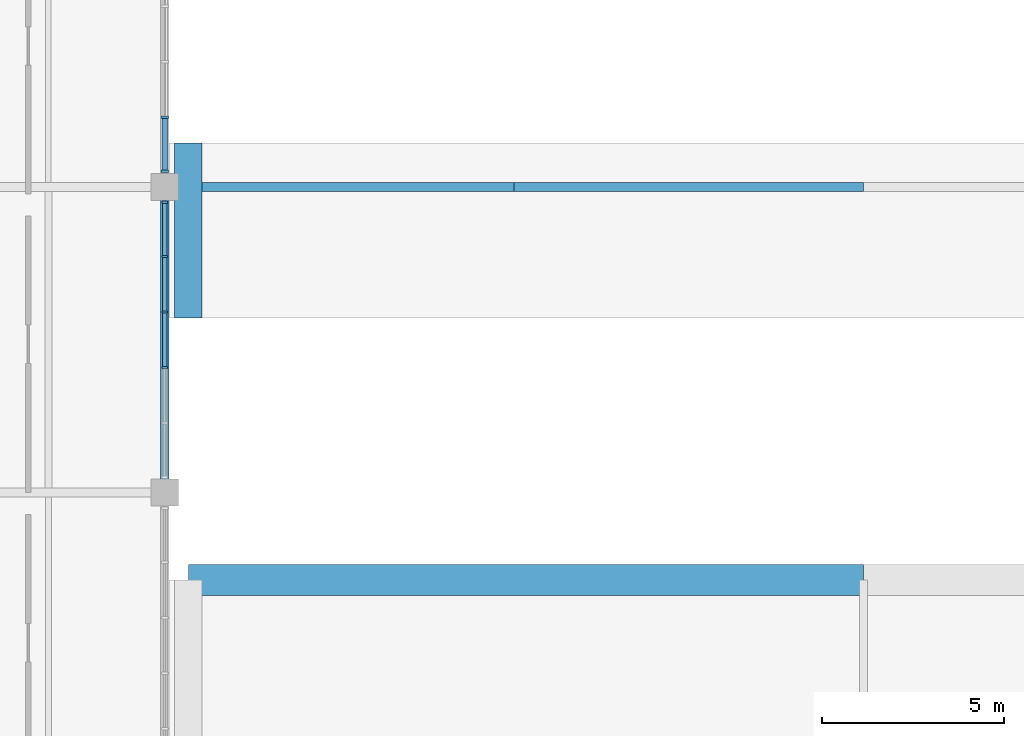
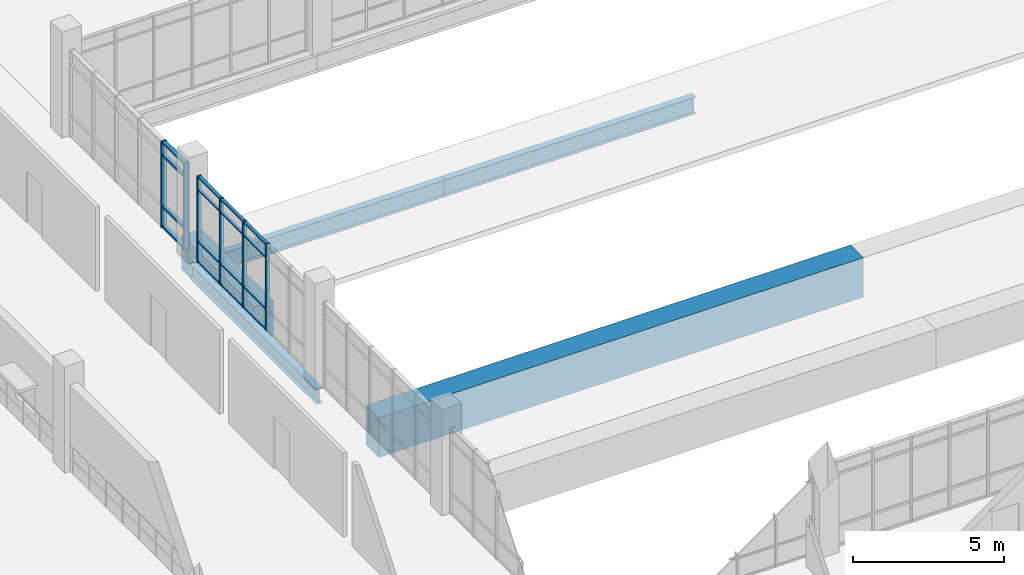
# One storey, part 23 of 86: 22 members, 5 beams, 2 elements without a shape of their own.
"""IFC4 building model written with IfcOpenShell, lengths in metres."""

from ifc_helpers import new_model, si_unit, direction, frame, origin, origin_2d, place, context, subcontext, project, spatial, rectangle, i_section, extrude, material, material_profile, profile_set, type_object, element, aggregate, save


model = new_model("IFC4")

# Units and contexts
model_context = context("Model", 3, precision=1e-05, world=origin(), true_north=direction((0.0, 1.0)))
body_context = subcontext(model_context, "Body", "Model", "MODEL_VIEW")
ifc_project = project(units=[si_unit("LENGTHUNIT", "METRE"), si_unit("AREAUNIT", "SQUARE_METRE"), si_unit("VOLUMEUNIT", "CUBIC_METRE"), si_unit("PLANEANGLEUNIT", "RADIAN"), si_unit("MASSUNIT", "GRAM", prefix="KILO")], contexts=[model_context])

# Site, building, storey
site_placement = place(None, origin())
site = spatial("IfcSite", under=ifc_project, at=site_placement, CompositionType="ELEMENT")
building_placement = place(site_placement, origin())
building = spatial("IfcBuilding", under=site, at=building_placement, Name="Oolite Switchyard Hospital", CompositionType="ELEMENT")
storey_placement = place(building_placement, frame((0.0, 0.0, 13.5)))
storey = spatial("IfcBuildingStorey", under=building, at=storey_placement, Name="L03", CompositionType="ELEMENT", Elevation=13.5)

# Beams
ifc_material_1 = material(Name="Concrete C40/50", Category="concrete")
ifc_material_profile_1 = material_profile(ifc_material_1, rectangle(XDim=0.75, YDim=1.39990234375, at=origin_2d()), Name="RCT750X1400")
ifc_profile_set_1 = profile_set([ifc_material_profile_1], Name="Concrete C40/50")
beam_type_1 = type_object("IfcBeamType", Name="BM-TR750X1400", PredefinedType="BEAM", material=ifc_profile_set_1)
beam_1_placement = place(storey_placement, frame((144.64990234375, 46.800048828125, -0.699951171875), z_axis=(0.0, 1.0, 0.0), x_axis=(-1.0, 0.0, 0.0)))
element("IfcBeam", 1, at=beam_1_placement, inside=storey, type_object=beam_type_1, Name="L03 Y-Girder 2311", PredefinedType="BEAM", context=body_context, shape_type="SweptSolid", body=[
    extrude(rectangle(XDim=0.75, YDim=1.39990234375, at=origin_2d()), origin(), (0.0, 0.0, 1.0), 4.800048828125),
])
ifc_material_profile_2 = material_profile(ifc_material_1, rectangle(XDim=0.85009765625, YDim=1.60009765625, at=origin_2d()), Name="RCT850X1600")
ifc_profile_set_2 = profile_set([ifc_material_profile_2], Name="Concrete C40/50")
beam_type_2 = type_object("IfcBeamType", Name="BM-TR850X1600", PredefinedType="BEAM", material=ifc_profile_set_2)
beam_2_placement = place(storey_placement, frame((144.64990234375, 39.60009765625, -0.800048828125), z_axis=(1.0, 0.0, 0.0), x_axis=(0.0, 1.0, 0.0)))
element("IfcBeam", 2, at=beam_2_placement, inside=storey, type_object=beam_type_2, Name="L03 X-Girder 1961", PredefinedType="BEAM", context=body_context, shape_type="SweptSolid", body=[
    extrude(rectangle(XDim=0.85009765625, YDim=1.60009765625, at=origin_2d()), origin(), (0.0, 0.0, 1.0), 18.550048828125),
])
ifc_material_2 = material(Name="Steel ASTM A992 Grade 50", Category="steel")
ifc_material_profile_3 = material_profile(ifc_material_2, i_section(OverallWidth=0.22900390625, OverallDepth=0.612060546875, WebThickness=0.011962890625, FlangeThickness=0.02001953125, at=origin_2d()), Name="W24X84")
ifc_profile_set_3 = profile_set([ifc_material_profile_3], Name="Steel ASTM A992 Grade 50")
beam_type_3 = type_object("IfcBeamType", Name="BM-W24X84", PredefinedType="BEAM", material=ifc_profile_set_3)
beam_3_placement = place(storey_placement, frame((144.0, 42.0, -0.5810546875), z_axis=(0.0, 1.0, 0.0), x_axis=(-1.0, 0.0, 0.0)))
element("IfcBeam", 3, at=beam_3_placement, inside=storey, type_object=beam_type_3, Name="L03 Y-Girder 2299", PredefinedType="BEAM", context=body_context, shape_type="SweptSolid", body=[
    extrude(i_section(OverallWidth=0.22900390625, OverallDepth=0.612060546875, WebThickness=0.011962890625, FlangeThickness=0.02001953125, at=origin_2d()), origin(), (0.0, 0.0, 1.0), 8.39990234375),
])
ifc_material_profile_4 = material_profile(ifc_material_2, i_section(OverallWidth=0.25390625, OverallDepth=0.68408203125, WebThickness=0.011962890625, FlangeThickness=0.01904296875, at=origin_2d()), Name="W27X94")
ifc_profile_set_4 = profile_set([ifc_material_profile_4], Name="Steel ASTM A992 Grade 50")
beam_type_4 = type_object("IfcBeamType", Name="BM-W27X94", PredefinedType="BEAM", material=ifc_profile_set_4)
beam_4_placement = place(storey_placement, frame((144.0, 50.39990234375, -0.56201171875), z_axis=(1.0, 0.0, 0.0), x_axis=(0.0, 1.0, 0.0)))
element("IfcBeam", 4, at=beam_4_placement, inside=storey, type_object=beam_type_4, Name="L03 X-Girder 1984", PredefinedType="BEAM", context=body_context, shape_type="SweptSolid", body=[
    extrude(i_section(OverallWidth=0.25390625, OverallDepth=0.68408203125, WebThickness=0.011962890625, FlangeThickness=0.01904296875, at=origin_2d()), origin(), (0.0, 0.0, 1.0), 9.60009765625),
])
beam_5_placement = place(storey_placement, frame((153.60009765625, 50.39990234375, -0.56201171875), z_axis=(1.0, 0.0, 0.0), x_axis=(0.0, 1.0, 0.0)))
element("IfcBeam", 5, at=beam_5_placement, inside=storey, type_object=beam_type_4, Name="L03 X-Girder 1985", PredefinedType="BEAM", context=body_context, shape_type="SweptSolid", body=[
    extrude(i_section(OverallWidth=0.25390625, OverallDepth=0.68408203125, WebThickness=0.011962890625, FlangeThickness=0.01904296875, at=origin_2d()), origin(), (0.0, 0.0, 1.0), 9.599853515625),
])

# Curtain wall, members
ifc_material_3 = material(Name="Thermally broken aluminum frame with laminated impact glazing", Category="aluminium")
curtain_wall_type = type_object("IfcCurtainWallType", Name="CW-UNIT-84X43", PredefinedType="USERDEFINED", material=ifc_material_3)
curtain_wall_1_placement = place(storey_placement, origin())
curtain_wall_1 = element("IfcCurtainWall", 6, at=curtain_wall_1_placement, inside=storey, type_object=curtain_wall_type, Name="L03 Unitised Curtain Wall 342", ObjectType="UNITISED", PredefinedType="USERDEFINED")
ifc_material_4 = material(Name="Aluminium 6063-T6", Category="aluminium")
ifc_material_profile_5 = material_profile(ifc_material_4, rectangle(XDim=0.159912109375, YDim=0.06005859375, at=origin_2d()), Name="CWM60X160")
ifc_profile_set_5 = profile_set([ifc_material_profile_5], Name="Aluminium 6063-T6")
member_type_1 = type_object("IfcMemberType", Name="CW-MUL-180", PredefinedType="MULLION", material=ifc_profile_set_5)
member_1_placement = place(storey_placement, frame((144.0, 49.97998046875, 0.0), z_axis=(0.0, 0.0, 1.0), x_axis=(1.0, 0.0, 0.0)))
member_1 = element("IfcMember", 7, at=member_1_placement, type_object=member_type_1, Name="CW-09 mullion 1", PredefinedType="MULLION", context=body_context, shape_type="SweptSolid", body=[
    extrude(rectangle(XDim=0.159912109375, YDim=0.06005859375, at=origin_2d()), origin(), (0.0, 0.0, 1.0), 3.489990234375),
])
member_2_placement = place(storey_placement, frame((144.0, 48.486083984375, 0.0), z_axis=(0.0, 0.0, 1.0), x_axis=(1.0, 0.0, 0.0)))
member_2 = element("IfcMember", 8, at=member_2_placement, type_object=member_type_1, Name="CW-09 mullion 2", PredefinedType="MULLION", context=body_context, shape_type="SweptSolid", body=[
    extrude(rectangle(XDim=0.159912109375, YDim=0.06005859375, at=origin_2d()), origin(), (0.0, 0.0, 1.0), 3.489990234375),
])
member_3_placement = place(storey_placement, frame((144.0, 46.9619140625, 0.0), z_axis=(0.0, 0.0, 1.0), x_axis=(1.0, 0.0, 0.0)))
member_3 = element("IfcMember", 9, at=member_3_placement, type_object=member_type_1, Name="CW-09 mullion 3", PredefinedType="MULLION", context=body_context, shape_type="SweptSolid", body=[
    extrude(rectangle(XDim=0.159912109375, YDim=0.06005859375, at=origin_2d()), origin(), (0.0, 0.0, 1.0), 3.489990234375),
])
member_4_placement = place(storey_placement, frame((144.0, 45.43798828125, 0.0), z_axis=(0.0, 0.0, 1.0), x_axis=(1.0, 0.0, 0.0)))
member_4 = element("IfcMember", 10, at=member_4_placement, type_object=member_type_1, Name="CW-09 mullion 4", PredefinedType="MULLION", context=body_context, shape_type="SweptSolid", body=[
    extrude(rectangle(XDim=0.159912109375, YDim=0.06005859375, at=origin_2d()), origin(), (0.0, 0.0, 1.0), 3.489990234375),
])

curtain_wall_2_placement = place(storey_placement, origin())
curtain_wall_2 = element("IfcCurtainWall", 11, at=curtain_wall_2_placement, inside=storey, type_object=curtain_wall_type, Name="L03 Unitised Curtain Wall 341", ObjectType="UNITISED", PredefinedType="USERDEFINED")
ifc_material_profile_6 = material_profile(ifc_material_4, rectangle(XDim=0.199951171875, YDim=0.074951171875, at=origin_2d()), Name="CWM75X200")
ifc_profile_set_6 = profile_set([ifc_material_profile_6], Name="Aluminium 6063-T6")
member_type_2 = type_object("IfcMemberType", Name="CW-MUL-260", PredefinedType="MULLION", material=ifc_profile_set_6)
member_5_placement = place(storey_placement, frame((144.0, 52.31396484375, 0.0), z_axis=(0.0, 0.0, 1.0), x_axis=(1.0, 0.0, 0.0)))
member_5 = element("IfcMember", 12, at=member_5_placement, type_object=member_type_2, Name="CW-09 mullion 5", PredefinedType="MULLION", context=body_context, shape_type="SweptSolid", body=[
    extrude(rectangle(XDim=0.199951171875, YDim=0.074951171875, at=origin_2d()), origin(), (0.0, 0.0, 1.0), 3.489990234375),
])
member_6_placement = place(storey_placement, frame((144.0, 50.827392578125, 0.0), z_axis=(0.0, 0.0, 1.0), x_axis=(1.0, 0.0, 0.0)))
member_6 = element("IfcMember", 13, at=member_6_placement, type_object=member_type_2, Name="CW-09 mullion 6", PredefinedType="MULLION", context=body_context, shape_type="SweptSolid", body=[
    extrude(rectangle(XDim=0.199951171875, YDim=0.074951171875, at=origin_2d()), origin(), (0.0, 0.0, 1.0), 3.489990234375),
])

# Member
ifc_material_profile_7 = material_profile(ifc_material_4, rectangle(XDim=0.1201171875, YDim=0.06005859375, at=origin_2d()), Name="CWT60X120")
ifc_profile_set_7 = profile_set([ifc_material_profile_7], Name="Aluminium 6063-T6")
member_type_3 = type_object("IfcMemberType", Name="CW-TRN-150", PredefinedType="USERDEFINED", material=ifc_profile_set_7)
member_7_placement = place(storey_placement, frame((144.0, 49.949951171875, 0.030029296875), z_axis=(0.0, -1.0, 0.0), x_axis=(1.0, 0.0, 0.0)))
member_7 = element("IfcMember", 14, at=member_7_placement, type_object=member_type_3, Name="CW-09 transom 1.1", ObjectType="TRANSOM", PredefinedType="USERDEFINED", context=body_context, shape_type="SweptSolid", body=[
    extrude(rectangle(XDim=0.1201171875, YDim=0.06005859375, at=origin_2d()), origin(), (0.0, 0.0, 1.0), 1.433837890625),
])

member_8_placement = place(storey_placement, frame((144.0, 49.949951171875, 0.85009765625), z_axis=(0.0, -1.0, 0.0), x_axis=(1.0, 0.0, 0.0)))
member_8 = element("IfcMember", 15, at=member_8_placement, type_object=member_type_3, Name="CW-09 transom 1.2", ObjectType="TRANSOM", PredefinedType="USERDEFINED", context=body_context, shape_type="SweptSolid", body=[
    extrude(rectangle(XDim=0.1201171875, YDim=0.06005859375, at=origin_2d()), origin(), (0.0, 0.0, 1.0), 1.433837890625),
])

member_9_placement = place(storey_placement, frame((144.0, 49.949951171875, 2.93994140625), z_axis=(0.0, -1.0, 0.0), x_axis=(1.0, 0.0, 0.0)))
member_9 = element("IfcMember", 16, at=member_9_placement, type_object=member_type_3, Name="CW-09 transom 1.3", ObjectType="TRANSOM", PredefinedType="USERDEFINED", context=body_context, shape_type="SweptSolid", body=[
    extrude(rectangle(XDim=0.1201171875, YDim=0.06005859375, at=origin_2d()), origin(), (0.0, 0.0, 1.0), 1.433837890625),
])

member_10_placement = place(storey_placement, frame((144.0, 49.949951171875, 3.4599609375), z_axis=(0.0, -1.0, 0.0), x_axis=(1.0, 0.0, 0.0)))
member_10 = element("IfcMember", 17, at=member_10_placement, type_object=member_type_3, Name="CW-09 transom 1.4", ObjectType="TRANSOM", PredefinedType="USERDEFINED", context=body_context, shape_type="SweptSolid", body=[
    extrude(rectangle(XDim=0.1201171875, YDim=0.06005859375, at=origin_2d()), origin(), (0.0, 0.0, 1.0), 1.433837890625),
])

member_11_placement = place(storey_placement, frame((144.0, 48.4560546875, 0.030029296875), z_axis=(0.0, -1.0, 0.0), x_axis=(1.0, 0.0, 0.0)))
member_11 = element("IfcMember", 18, at=member_11_placement, type_object=member_type_3, Name="CW-09 transom 2.1", ObjectType="TRANSOM", PredefinedType="USERDEFINED", context=body_context, shape_type="SweptSolid", body=[
    extrude(rectangle(XDim=0.1201171875, YDim=0.06005859375, at=origin_2d()), origin(), (0.0, 0.0, 1.0), 1.464111328125),
])

member_12_placement = place(storey_placement, frame((144.0, 48.4560546875, 0.85009765625), z_axis=(0.0, -1.0, 0.0), x_axis=(1.0, 0.0, 0.0)))
member_12 = element("IfcMember", 19, at=member_12_placement, type_object=member_type_3, Name="CW-09 transom 2.2", ObjectType="TRANSOM", PredefinedType="USERDEFINED", context=body_context, shape_type="SweptSolid", body=[
    extrude(rectangle(XDim=0.1201171875, YDim=0.06005859375, at=origin_2d()), origin(), (0.0, 0.0, 1.0), 1.464111328125),
])

member_13_placement = place(storey_placement, frame((144.0, 48.4560546875, 2.93994140625), z_axis=(0.0, -1.0, 0.0), x_axis=(1.0, 0.0, 0.0)))
member_13 = element("IfcMember", 20, at=member_13_placement, type_object=member_type_3, Name="CW-09 transom 2.3", ObjectType="TRANSOM", PredefinedType="USERDEFINED", context=body_context, shape_type="SweptSolid", body=[
    extrude(rectangle(XDim=0.1201171875, YDim=0.06005859375, at=origin_2d()), origin(), (0.0, 0.0, 1.0), 1.464111328125),
])

member_14_placement = place(storey_placement, frame((144.0, 48.4560546875, 3.4599609375), z_axis=(0.0, -1.0, 0.0), x_axis=(1.0, 0.0, 0.0)))
member_14 = element("IfcMember", 21, at=member_14_placement, type_object=member_type_3, Name="CW-09 transom 2.4", ObjectType="TRANSOM", PredefinedType="USERDEFINED", context=body_context, shape_type="SweptSolid", body=[
    extrude(rectangle(XDim=0.1201171875, YDim=0.06005859375, at=origin_2d()), origin(), (0.0, 0.0, 1.0), 1.464111328125),
])

member_15_placement = place(storey_placement, frame((144.0, 46.931884765625, 0.030029296875), z_axis=(0.0, -1.0, 0.0), x_axis=(1.0, 0.0, 0.0)))
member_15 = element("IfcMember", 22, at=member_15_placement, type_object=member_type_3, Name="CW-09 transom 3.1", ObjectType="TRANSOM", PredefinedType="USERDEFINED", context=body_context, shape_type="SweptSolid", body=[
    extrude(rectangle(XDim=0.1201171875, YDim=0.06005859375, at=origin_2d()), origin(), (0.0, 0.0, 1.0), 1.4638671875),
])

member_16_placement = place(storey_placement, frame((144.0, 46.931884765625, 0.85009765625), z_axis=(0.0, -1.0, 0.0), x_axis=(1.0, 0.0, 0.0)))
member_16 = element("IfcMember", 23, at=member_16_placement, type_object=member_type_3, Name="CW-09 transom 3.2", ObjectType="TRANSOM", PredefinedType="USERDEFINED", context=body_context, shape_type="SweptSolid", body=[
    extrude(rectangle(XDim=0.1201171875, YDim=0.06005859375, at=origin_2d()), origin(), (0.0, 0.0, 1.0), 1.4638671875),
])

member_17_placement = place(storey_placement, frame((144.0, 46.931884765625, 2.93994140625), z_axis=(0.0, -1.0, 0.0), x_axis=(1.0, 0.0, 0.0)))
member_17 = element("IfcMember", 24, at=member_17_placement, type_object=member_type_3, Name="CW-09 transom 3.3", ObjectType="TRANSOM", PredefinedType="USERDEFINED", context=body_context, shape_type="SweptSolid", body=[
    extrude(rectangle(XDim=0.1201171875, YDim=0.06005859375, at=origin_2d()), origin(), (0.0, 0.0, 1.0), 1.4638671875),
])

member_18_placement = place(storey_placement, frame((144.0, 46.931884765625, 3.4599609375), z_axis=(0.0, -1.0, 0.0), x_axis=(1.0, 0.0, 0.0)))
member_18 = element("IfcMember", 25, at=member_18_placement, type_object=member_type_3, Name="CW-09 transom 3.4", ObjectType="TRANSOM", PredefinedType="USERDEFINED", context=body_context, shape_type="SweptSolid", body=[
    extrude(rectangle(XDim=0.1201171875, YDim=0.06005859375, at=origin_2d()), origin(), (0.0, 0.0, 1.0), 1.4638671875),
])

aggregate(curtain_wall_1, [member_1, member_2, member_3, member_4, member_7, member_8, member_9, member_10, member_11, member_12, member_13, member_14, member_15, member_16, member_17, member_18])

ifc_material_profile_8 = material_profile(ifc_material_4, rectangle(XDim=0.159912109375, YDim=0.074951171875, at=origin_2d()), Name="CWT75X160")
ifc_profile_set_8 = profile_set([ifc_material_profile_8], Name="Aluminium 6063-T6")
member_type_4 = type_object("IfcMemberType", Name="CW-TRN-180", PredefinedType="USERDEFINED", material=ifc_profile_set_8)
member_19_placement = place(storey_placement, frame((144.0, 52.276611328125, 0.03759765625), z_axis=(0.0, -1.0, 0.0), x_axis=(1.0, 0.0, 0.0)))
member_19 = element("IfcMember", 26, at=member_19_placement, type_object=member_type_4, Name="CW-09 transom 5.1", ObjectType="TRANSOM", PredefinedType="USERDEFINED", context=body_context, shape_type="SweptSolid", body=[
    extrude(rectangle(XDim=0.159912109375, YDim=0.074951171875, at=origin_2d()), origin(), (0.0, 0.0, 1.0), 1.41162109375),
])

member_20_placement = place(storey_placement, frame((144.0, 52.276611328125, 0.85009765625), z_axis=(0.0, -1.0, 0.0), x_axis=(1.0, 0.0, 0.0)))
member_20 = element("IfcMember", 27, at=member_20_placement, type_object=member_type_4, Name="CW-09 transom 5.2", ObjectType="TRANSOM", PredefinedType="USERDEFINED", context=body_context, shape_type="SweptSolid", body=[
    extrude(rectangle(XDim=0.159912109375, YDim=0.074951171875, at=origin_2d()), origin(), (0.0, 0.0, 1.0), 1.41162109375),
])

member_21_placement = place(storey_placement, frame((144.0, 52.276611328125, 2.93994140625), z_axis=(0.0, -1.0, 0.0), x_axis=(1.0, 0.0, 0.0)))
member_21 = element("IfcMember", 28, at=member_21_placement, type_object=member_type_4, Name="CW-09 transom 5.3", ObjectType="TRANSOM", PredefinedType="USERDEFINED", context=body_context, shape_type="SweptSolid", body=[
    extrude(rectangle(XDim=0.159912109375, YDim=0.074951171875, at=origin_2d()), origin(), (0.0, 0.0, 1.0), 1.41162109375),
])

member_22_placement = place(storey_placement, frame((144.0, 52.276611328125, 3.452392578125), z_axis=(0.0, -1.0, 0.0), x_axis=(1.0, 0.0, 0.0)))
member_22 = element("IfcMember", 29, at=member_22_placement, type_object=member_type_4, Name="CW-09 transom 5.4", ObjectType="TRANSOM", PredefinedType="USERDEFINED", context=body_context, shape_type="SweptSolid", body=[
    extrude(rectangle(XDim=0.159912109375, YDim=0.074951171875, at=origin_2d()), origin(), (0.0, 0.0, 1.0), 1.41162109375),
])

aggregate(curtain_wall_2, [member_5, member_6, member_19, member_20, member_21, member_22])

save(model, "model.ifc")
